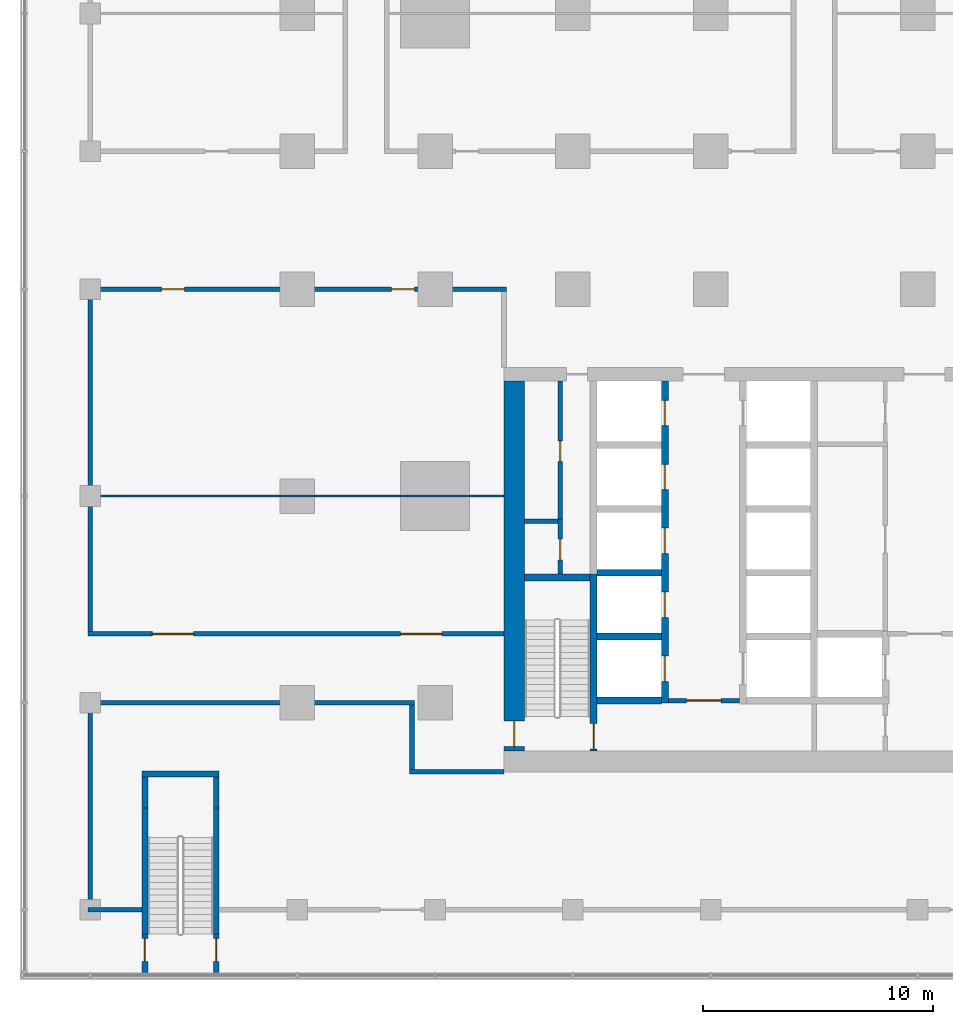
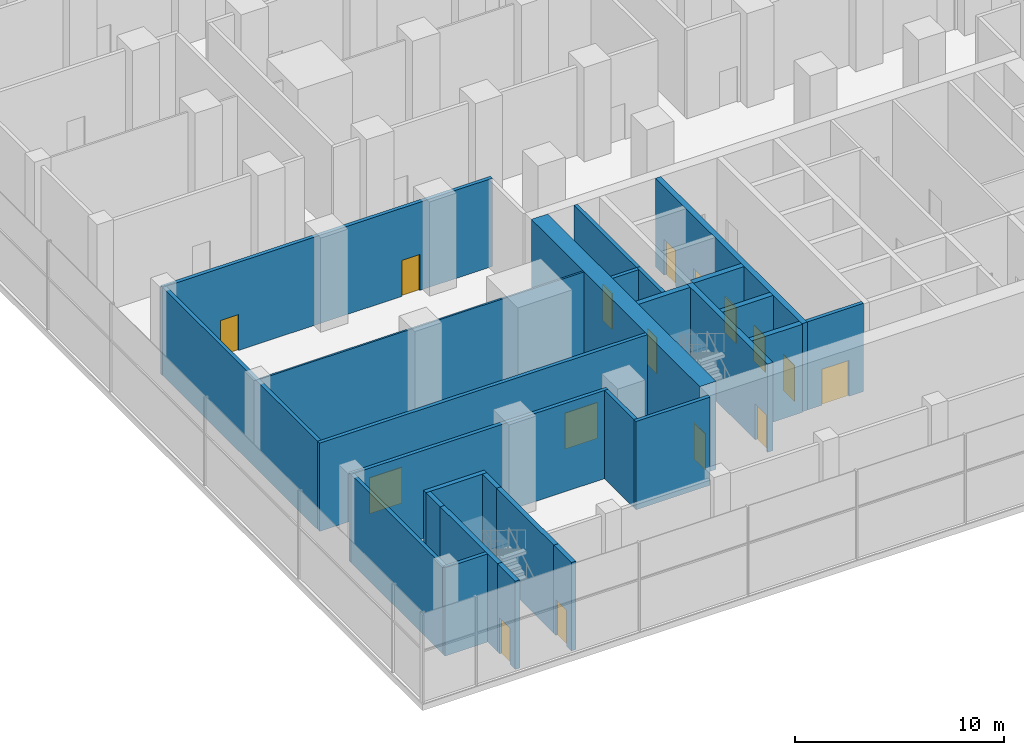
# One storey, part 12 of 22: 27 walls, 16 doors, 16 openings.
"""IFC4 building model written with IfcOpenShell, lengths in metres."""

from ifc_helpers import new_model, si_unit, direction, frame, frame_2d, origin, place, context, subcontext, project, spatial, rectangle, extrude, material, layer, layer_set, type_object, element, fill, save


model = new_model("IFC4")

# Units and contexts
model_context = context("Model", 3, precision=1e-05, world=origin(), true_north=direction((0.0, 1.0)))
body_context = subcontext(model_context, "Body", "Model", "MODEL_VIEW")
ifc_project = project(units=[si_unit("LENGTHUNIT", "METRE"), si_unit("AREAUNIT", "SQUARE_METRE"), si_unit("VOLUMEUNIT", "CUBIC_METRE"), si_unit("PLANEANGLEUNIT", "RADIAN"), si_unit("MASSUNIT", "GRAM", prefix="KILO")], contexts=[model_context])

# Site, building, storey
site_placement = place(None, origin())
site = spatial("IfcSite", under=ifc_project, at=site_placement, CompositionType="ELEMENT")
building_placement = place(site_placement, origin())
building = spatial("IfcBuilding", under=site, at=building_placement, Name="Finial Court Residences", CompositionType="ELEMENT")
storey_placement = place(building_placement, frame((0.0, 0.0, 8.0)))
storey = spatial("IfcBuildingStorey", under=building, at=storey_placement, Name="L01", CompositionType="ELEMENT", Elevation=8.0)

# Wall, opening, door
ifc_material_1 = material(Name="Concrete C80/95", Category="concrete")
ifc_layer_1 = layer(ifc_material_1, 0.89990234375)
ifc_layer_set_1 = layer_set([ifc_layer_1], Name="Core outer wall 900 Concrete C80/95")
wall_type_1 = type_object("IfcWallType", Name="Core outer wall 900 Concrete C80/95", PredefinedType="SHEAR", material=ifc_layer_set_1)
wall_1_placement = place(storey_placement, frame((-13.050048828125, -8.5, 0.0), z_axis=(0.0, 0.0, 1.0), x_axis=(0.0, -1.0, 0.0)))
wall_1 = element("IfcWall", 1, at=wall_1_placement, inside=storey, type_object=wall_type_1, Name="Core outer wall L01-03", PredefinedType="SHEAR", context=body_context, shape_type="SweptSolid", body=[
    extrude(rectangle(XDim=16.10009765625, YDim=0.89990234375, at=frame_2d((8.050048828125, 0.0))), origin(), (0.0, 0.0, 1.0), 5.14990234375),
])
opening_1_placement = place(wall_1_placement, frame((14.800048828125, 0.0, 0.0)))
opening_1 = element("IfcOpeningElement", 2, at=opening_1_placement, cuts=wall_1, Name="Opening L01-C19", PredefinedType="OPENING", context=body_context, shape_type="SweptSolid", body=[
    extrude(rectangle(XDim=1.10009765625, YDim=2.10009765625, at=frame_2d((0.550048828125, 1.050048828125))), frame((0.0, 0.4599609375, 0.0), z_axis=(0.0, -1.0, 0.0), x_axis=(1.0, 0.0, 0.0)), (0.0, 0.0, 1.0), 0.919921875),
])
ifc_material_2 = material(Name="Steel fire door", Category="steel")
door_type_1 = type_object("IfcDoorType", Name="Stair door 1100 x 2100 EI 90", OperationType="NOTDEFINED", PredefinedType="DOOR", material=ifc_material_2)
door_1_placement = place(opening_1_placement, origin())
door_1 = element("IfcDoor", 3, at=door_1_placement, inside=storey, type_object=door_type_1, Name="Stair door L01-C19", OperationType="SINGLE_SWING_RIGHT", OverallHeight=2.10009765625, OverallWidth=1.10009765625, PredefinedType="DOOR", context=body_context, shape_type="SweptSolid", body=[
    extrude(rectangle(XDim=1.10009765625, YDim=2.10009765625, at=frame_2d((0.550048828125, 1.050048828125))), frame((0.0, 0.02490234375, 0.0), z_axis=(0.0, -1.0, 0.0), x_axis=(1.0, 0.0, 0.0)), (0.0, 0.0, 1.0), 0.050048828125),
])
fill(opening_1, door_1)

# Walls
ifc_material_3 = material(Name="Gypsum board")
ifc_layer_2 = layer(ifc_material_3, 0.02490234375)
ifc_material_4 = material(Name="Acoustic mineral wool in double frame")
ifc_layer_3 = layer(ifc_material_4, 0.14990234375)
ifc_layer_4 = layer(ifc_material_3, 0.02490234375)
ifc_layer_set_2 = layer_set([ifc_layer_2, ifc_layer_3, ifc_layer_4], Name="Corridor wall 200, 1 hour")
wall_type_2 = type_object("IfcWallType", Name="Corridor wall 200, 1 hour", PredefinedType="PARTITIONING", material=ifc_layer_set_2)
wall_2_placement = place(storey_placement, frame((-31.60009765625, -31.5, 0.0), z_axis=(0.0, 0.0, 1.0), x_axis=(1.0, 0.0, 0.0)))
element("IfcWall", 4, at=wall_2_placement, inside=storey, type_object=wall_type_2, Name="Partition L01-000", PredefinedType="PARTITIONING", context=body_context, shape_type="SweptSolid", body=[
    extrude(rectangle(XDim=2.35009765625, YDim=0.199951171875, at=frame_2d((1.175048828125, 0.0))), origin(), (0.0, 0.0, 1.0), 5.14990234375),
])
wall_3_placement = place(storey_placement, frame((-17.60009765625, -25.5, 0.0), z_axis=(0.0, 0.0, 1.0), x_axis=(1.0, 0.0, 0.0)))
element("IfcWall", 5, at=wall_3_placement, inside=storey, type_object=wall_type_2, Name="Partition L01-003", PredefinedType="PARTITIONING", context=body_context, shape_type="SweptSolid", body=[
    extrude(rectangle(XDim=4.10009765625, YDim=0.199951171875, at=frame_2d((2.050048828125, 0.0))), origin(), (0.0, 0.0, 1.0), 5.14990234375),
])
wall_4_placement = place(storey_placement, frame((-31.60009765625, -22.5, 0.0), z_axis=(0.0, 0.0, 1.0), x_axis=(1.0, 0.0, 0.0)))
element("IfcWall", 6, at=wall_4_placement, inside=storey, type_object=wall_type_2, Name="Partition L01-005", PredefinedType="PARTITIONING", context=body_context, shape_type="SweptSolid", body=[
    extrude(rectangle(XDim=14.2001953125, YDim=0.199951171875, at=frame_2d((7.10009765625, 0.0))), origin(), (0.0, 0.0, 1.0), 5.14990234375),
])

# Wall, openings, doors
wall_5_placement = place(storey_placement, frame((-31.60009765625, -19.5, 0.0), z_axis=(0.0, 0.0, 1.0), x_axis=(1.0, 0.0, 0.0)))
wall_5 = element("IfcWall", 7, at=wall_5_placement, inside=storey, type_object=wall_type_2, Name="Partition L01-008", PredefinedType="PARTITIONING", context=body_context, shape_type="SweptSolid", body=[
    extrude(rectangle(XDim=18.10009765625, YDim=0.199951171875, at=frame_2d((9.050048828125, 0.0))), origin(), (0.0, 0.0, 1.0), 5.14990234375),
])
opening_2_placement = place(wall_5_placement, frame((2.800048828125, 0.0, 0.0)))
opening_2 = element("IfcOpeningElement", 8, at=opening_2_placement, cuts=wall_5, Name="Opening L01-D005", PredefinedType="OPENING", context=body_context, shape_type="SweptSolid", body=[
    extrude(rectangle(XDim=1.800048828125, YDim=2.10009765625, at=frame_2d((0.89990234375, 1.050048828125))), frame((0.0, 0.10986328125, 0.0), z_axis=(0.0, -1.0, 0.0), x_axis=(1.0, 0.0, 0.0)), (0.0, 0.0, 1.0), 0.219970703125),
])
opening_3_placement = place(wall_5_placement, frame((13.60009765625, 0.0, 0.0)))
opening_3 = element("IfcOpeningElement", 9, at=opening_3_placement, cuts=wall_5, Name="Opening L01-D006", PredefinedType="OPENING", context=body_context, shape_type="SweptSolid", body=[
    extrude(rectangle(XDim=1.800048828125, YDim=2.10009765625, at=frame_2d((0.89990234375, 1.050048828125))), frame((0.0, 0.10986328125, 0.0), z_axis=(0.0, -1.0, 0.0), x_axis=(1.0, 0.0, 0.0)), (0.0, 0.0, 1.0), 0.219970703125),
])
ifc_material_5 = material(Name="Timber door leaf in hollow metal frame", Category="wood")
door_type_2 = type_object("IfcDoorType", Name="Fire door set 1800 x 2100, 30 minutes", OperationType="DOUBLE_DOOR_SINGLE_SWING", PredefinedType="DOOR", material=ifc_material_5)
door_2_placement = place(opening_2_placement, origin())
door_2 = element("IfcDoor", 10, at=door_2_placement, inside=storey, type_object=door_type_2, Name="Door L01-D005", OperationType="DOUBLE_DOOR_SINGLE_SWING", OverallHeight=2.10009765625, OverallWidth=1.800048828125, PredefinedType="DOOR", context=body_context, shape_type="SweptSolid", body=[
    extrude(rectangle(XDim=1.800048828125, YDim=2.10009765625, at=frame_2d((0.89990234375, 1.050048828125))), frame((0.0, 0.02490234375, 0.0), z_axis=(0.0, -1.0, 0.0), x_axis=(1.0, 0.0, 0.0)), (0.0, 0.0, 1.0), 0.050048828125),
])
fill(opening_2, door_2)
door_3_placement = place(opening_3_placement, origin())
door_3 = element("IfcDoor", 11, at=door_3_placement, inside=storey, type_object=door_type_2, Name="Door L01-D006", OperationType="DOUBLE_DOOR_SINGLE_SWING", OverallHeight=2.10009765625, OverallWidth=1.800048828125, PredefinedType="DOOR", context=body_context, shape_type="SweptSolid", body=[
    extrude(rectangle(XDim=1.800048828125, YDim=2.10009765625, at=frame_2d((0.89990234375, 1.050048828125))), frame((0.0, 0.02490234375, 0.0), z_axis=(0.0, -1.0, 0.0), x_axis=(1.0, 0.0, 0.0)), (0.0, 0.0, 1.0), 0.050048828125),
])
fill(opening_3, door_3)

wall_6_placement = place(storey_placement, frame((-31.60009765625, -4.5, 0.0), z_axis=(0.0, 0.0, 1.0), x_axis=(1.0, 0.0, 0.0)))
wall_6 = element("IfcWall", 12, at=wall_6_placement, inside=storey, type_object=wall_type_2, Name="Partition L01-015", PredefinedType="PARTITIONING", context=body_context, shape_type="SweptSolid", body=[
    extrude(rectangle(XDim=18.2001953125, YDim=0.199951171875, at=frame_2d((9.10009765625, 0.0))), origin(), (0.0, 0.0, 1.0), 5.14990234375),
])
opening_4_placement = place(wall_6_placement, frame((3.199951171875, 0.0, 0.0)))
opening_4 = element("IfcOpeningElement", 13, at=opening_4_placement, cuts=wall_6, Name="Opening L01-D010", PredefinedType="OPENING", context=body_context, shape_type="SweptSolid", body=[
    extrude(rectangle(XDim=1.0, YDim=2.10009765625, at=frame_2d((0.5, 1.050048828125))), frame((0.0, 0.10986328125, 0.0), z_axis=(0.0, -1.0, 0.0), x_axis=(1.0, 0.0, 0.0)), (0.0, 0.0, 1.0), 0.219970703125),
])
opening_5_placement = place(wall_6_placement, frame((13.199951171875, 0.0, 0.0)))
opening_5 = element("IfcOpeningElement", 14, at=opening_5_placement, cuts=wall_6, Name="Opening L01-D011", PredefinedType="OPENING", context=body_context, shape_type="SweptSolid", body=[
    extrude(rectangle(XDim=1.0, YDim=2.10009765625, at=frame_2d((0.5, 1.050048828125))), frame((0.0, 0.10986328125, 0.0), z_axis=(0.0, -1.0, 0.0), x_axis=(1.0, 0.0, 0.0)), (0.0, 0.0, 1.0), 0.219970703125),
])
door_type_3 = type_object("IfcDoorType", Name="Fire door set 1000 x 2100, 30 minutes", OperationType="SINGLE_SWING_LEFT", PredefinedType="DOOR", material=ifc_material_5)
door_4_placement = place(opening_4_placement, origin())
door_4 = element("IfcDoor", 15, at=door_4_placement, inside=storey, type_object=door_type_3, Name="Door L01-D010", OperationType="SINGLE_SWING_LEFT", OverallHeight=2.10009765625, OverallWidth=1.0, PredefinedType="DOOR", context=body_context, shape_type="SweptSolid", body=[
    extrude(rectangle(XDim=1.0, YDim=2.10009765625, at=frame_2d((0.5, 1.050048828125))), frame((0.0, 0.02490234375, 0.0), z_axis=(0.0, -1.0, 0.0), x_axis=(1.0, 0.0, 0.0)), (0.0, 0.0, 1.0), 0.050048828125),
])
fill(opening_4, door_4)
door_5_placement = place(opening_5_placement, origin())
door_5 = element("IfcDoor", 16, at=door_5_placement, inside=storey, type_object=door_type_3, Name="Door L01-D011", OperationType="SINGLE_SWING_RIGHT", OverallHeight=2.10009765625, OverallWidth=1.0, PredefinedType="DOOR", context=body_context, shape_type="SweptSolid", body=[
    extrude(rectangle(XDim=1.0, YDim=2.10009765625, at=frame_2d((0.5, 1.050048828125))), frame((0.0, 0.02490234375, 0.0), z_axis=(0.0, -1.0, 0.0), x_axis=(1.0, 0.0, 0.0)), (0.0, 0.0, 1.0), 0.050048828125),
])
fill(opening_5, door_5)

# Walls
wall_7_placement = place(storey_placement, frame((-31.5, -31.39990234375, 0.0), z_axis=(0.0, 0.0, 1.0), x_axis=(0.0, 1.0, 0.0)))
element("IfcWall", 17, at=wall_7_placement, inside=storey, type_object=wall_type_2, Name="Partition L01-040", PredefinedType="PARTITIONING", context=body_context, shape_type="SweptSolid", body=[
    extrude(rectangle(XDim=8.7998046875, YDim=0.199951171875, at=frame_2d((4.39990234375, 0.0))), origin(), (0.0, 0.0, 1.0), 5.14990234375),
])
wall_8_placement = place(storey_placement, frame((-31.5, -19.39990234375, 0.0), z_axis=(0.0, 0.0, 1.0), x_axis=(0.0, 1.0, 0.0)))
element("IfcWall", 18, at=wall_8_placement, inside=storey, type_object=wall_type_2, Name="Partition L01-041", PredefinedType="PARTITIONING", context=body_context, shape_type="SweptSolid", body=[
    extrude(rectangle(XDim=14.7998046875, YDim=0.199951171875, at=frame_2d((7.39990234375, 0.0))), origin(), (0.0, 0.0, 1.0), 5.14990234375),
])
wall_9_placement = place(storey_placement, frame((-17.5, -25.39990234375, 0.0), z_axis=(0.0, 0.0, 1.0), x_axis=(0.0, 1.0, 0.0)))
element("IfcWall", 19, at=wall_9_placement, inside=storey, type_object=wall_type_2, Name="Partition L01-046", PredefinedType="PARTITIONING", context=body_context, shape_type="SweptSolid", body=[
    extrude(rectangle(XDim=2.7998046875, YDim=0.199951171875, at=frame_2d((1.39990234375, 0.0))), origin(), (0.0, 0.0, 1.0), 5.14990234375),
])
ifc_layer_5 = layer(ifc_material_3, 0.012451171875)
ifc_material_6 = material(Name="Mineral wool in light-gauge frame")
ifc_layer_6 = layer(ifc_material_6, 0.074951171875)
ifc_layer_7 = layer(ifc_material_3, 0.012451171875)
ifc_layer_set_3 = layer_set([ifc_layer_5, ifc_layer_6, ifc_layer_7], Name="Gypsum board partition 100")
wall_type_3 = type_object("IfcWallType", Name="Gypsum board partition 100", PredefinedType="PARTITIONING", material=ifc_layer_set_3)
wall_10_placement = place(storey_placement, frame((-31.39990234375, -13.5, 0.0), z_axis=(0.0, 0.0, 1.0), x_axis=(1.0, 0.0, 0.0)))
element("IfcWall", 20, at=wall_10_placement, inside=storey, type_object=wall_type_3, Name="Partition L01-013", PredefinedType="PARTITIONING", context=body_context, shape_type="SweptSolid", body=[
    extrude(rectangle(XDim=17.89990234375, YDim=0.10009765625, at=frame_2d((8.949951171875, 0.0))), origin(), (0.0, 0.0, 1.0), 5.14990234375),
])
ifc_layer_8 = layer(ifc_material_1, 0.300048828125)
ifc_layer_set_4 = layer_set([ifc_layer_8], Name="Lift shaft and stair wall 300 Concrete C80/95")
wall_type_4 = type_object("IfcWallType", Name="Lift shaft and stair wall 300 Concrete C80/95", PredefinedType="SHEAR", material=ifc_layer_set_4)
for number, where, z_axis, x_axis, name in (
    (21, (-9.449951171875, -22.39990234375, 0.0), (0.0, 0.0, 1.0), (1.0, 0.0, 0.0), "Core wall L01-01"),
    (22, (-9.449951171875, -19.6201171875, 0.0), (0.0, 0.0, 1.0), (1.0, 0.0, 0.0), "Core wall L01-05"),
):
    element("IfcWall", number, at=place(storey_placement, frame(where, z_axis=z_axis, x_axis=x_axis)), inside=storey, type_object=wall_type_4, Name=name, PredefinedType="SHEAR", context=body_context, shape_type="SweptSolid", body=[
        extrude(rectangle(XDim=2.800048828125, YDim=0.300048828125, at=frame_2d((1.39990234375, 0.0))), origin(), (0.0, 0.0, 1.0), 5.14990234375),
    ])
wall_11_placement = place(storey_placement, frame((-12.60009765625, -17.050048828125, 0.0), z_axis=(0.0, 0.0, 1.0), x_axis=(1.0, 0.0, 0.0)))
element("IfcWall", 23, at=wall_11_placement, inside=storey, type_object=wall_type_4, Name="Core wall L01-10", PredefinedType="SHEAR", context=body_context, shape_type="SweptSolid", body=[
    extrude(rectangle(XDim=2.85009765625, YDim=0.300048828125, at=frame_2d((1.425048828125, 0.0))), origin(), (0.0, 0.0, 1.0), 5.14990234375),
])
wall_12_placement = place(storey_placement, frame((-9.449951171875, -16.840087890625, 0.0), z_axis=(0.0, 0.0, 1.0), x_axis=(1.0, 0.0, 0.0)))
element("IfcWall", 24, at=wall_12_placement, inside=storey, type_object=wall_type_4, Name="Core wall L01-12", PredefinedType="SHEAR", context=body_context, shape_type="SweptSolid", body=[
    extrude(rectangle(XDim=2.800048828125, YDim=0.300048828125, at=frame_2d((1.39990234375, 0.0))), origin(), (0.0, 0.0, 1.0), 5.14990234375),
])

# Wall, opening, door
wall_13_placement = place(storey_placement, frame((-9.60009765625, -24.60009765625, 0.0), z_axis=(0.0, 0.0, 1.0), x_axis=(0.0, 1.0, 0.0)))
wall_13 = element("IfcWall", 25, at=wall_13_placement, inside=storey, type_object=wall_type_4, Name="Core wall L01-24", PredefinedType="SHEAR", context=body_context, shape_type="SweptSolid", body=[
    extrude(rectangle(XDim=7.7001953125, YDim=0.300048828125, at=frame_2d((3.85009765625, 0.0))), origin(), (0.0, 0.0, 1.0), 5.14990234375),
])
opening_6_placement = place(wall_13_placement, frame((0.10009765625, 0.0, 0.0)))
opening_6 = element("IfcOpeningElement", 26, at=opening_6_placement, cuts=wall_13, Name="Opening L01-C17", PredefinedType="OPENING", context=body_context, shape_type="SweptSolid", body=[
    extrude(rectangle(XDim=1.10009765625, YDim=2.10009765625, at=frame_2d((0.550048828125, 1.050048828125))), frame((0.0, 0.159912109375, 0.0), z_axis=(0.0, -1.0, 0.0), x_axis=(1.0, 0.0, 0.0)), (0.0, 0.0, 1.0), 0.320068359375),
])
door_6_placement = place(opening_6_placement, origin())
door_6 = element("IfcDoor", 27, at=door_6_placement, inside=storey, type_object=door_type_1, Name="Stair door L01-C17", OperationType="SINGLE_SWING_LEFT", OverallHeight=2.10009765625, OverallWidth=1.10009765625, PredefinedType="DOOR", context=body_context, shape_type="SweptSolid", body=[
    extrude(rectangle(XDim=1.10009765625, YDim=2.10009765625, at=frame_2d((0.550048828125, 1.050048828125))), frame((0.0, 0.02490234375, 0.0), z_axis=(0.0, -1.0, 0.0), x_axis=(1.0, 0.0, 0.0)), (0.0, 0.0, 1.0), 0.050048828125),
])
fill(opening_6, door_6)

# Wall, openings, doors
wall_14_placement = place(storey_placement, frame((-6.5, -22.5, 0.0), z_axis=(0.0, 0.0, 1.0), x_axis=(0.0, 1.0, 0.0)))
wall_14 = element("IfcWall", 28, at=wall_14_placement, inside=storey, type_object=wall_type_4, Name="Core wall L01-26", PredefinedType="SHEAR", context=body_context, shape_type="SweptSolid", body=[
    extrude(rectangle(XDim=14.0, YDim=0.300048828125, at=frame_2d((7.0, 0.0))), origin(), (0.0, 0.0, 1.0), 5.14990234375),
])
opening_7_placement = place(wall_14_placement, frame((0.93994140625, 0.0, 0.0)))
opening_7 = element("IfcOpeningElement", 29, at=opening_7_placement, cuts=wall_14, Name="Opening L01-LD03", PredefinedType="OPENING", context=body_context, shape_type="SweptSolid", body=[
    extrude(rectangle(XDim=1.10009765625, YDim=2.10009765625, at=frame_2d((0.550048828125, 1.050048828125))), frame((0.0, 0.159912109375, 0.0), z_axis=(0.0, -1.0, 0.0), x_axis=(1.0, 0.0, 0.0)), (0.0, 0.0, 1.0), 0.320068359375),
])
opening_8_placement = place(wall_14_placement, frame((3.719970703125, 0.0, 0.0)))
opening_8 = element("IfcOpeningElement", 30, at=opening_8_placement, cuts=wall_14, Name="Opening L01-LD04", PredefinedType="OPENING", context=body_context, shape_type="SweptSolid", body=[
    extrude(rectangle(XDim=1.10009765625, YDim=2.10009765625, at=frame_2d((0.550048828125, 1.050048828125))), frame((0.0, 0.159912109375, 0.0), z_axis=(0.0, -1.0, 0.0), x_axis=(1.0, 0.0, 0.0)), (0.0, 0.0, 1.0), 0.320068359375),
])
opening_9_placement = place(wall_14_placement, frame((6.5, 0.0, 0.0)))
opening_9 = element("IfcOpeningElement", 31, at=opening_9_placement, cuts=wall_14, Name="Opening L01-LD05", PredefinedType="OPENING", context=body_context, shape_type="SweptSolid", body=[
    extrude(rectangle(XDim=1.10009765625, YDim=2.10009765625, at=frame_2d((0.550048828125, 1.050048828125))), frame((0.0, 0.159912109375, 0.0), z_axis=(0.0, -1.0, 0.0), x_axis=(1.0, 0.0, 0.0)), (0.0, 0.0, 1.0), 0.320068359375),
])
opening_10_placement = place(wall_14_placement, frame((9.280029296875, 0.0, 0.0)))
opening_10 = element("IfcOpeningElement", 32, at=opening_10_placement, cuts=wall_14, Name="Opening L01-LD06", PredefinedType="OPENING", context=body_context, shape_type="SweptSolid", body=[
    extrude(rectangle(XDim=1.10009765625, YDim=2.10009765625, at=frame_2d((0.550048828125, 1.050048828125))), frame((0.0, 0.159912109375, 0.0), z_axis=(0.0, -1.0, 0.0), x_axis=(1.0, 0.0, 0.0)), (0.0, 0.0, 1.0), 0.320068359375),
])
opening_11_placement = place(wall_14_placement, frame((12.06005859375, 0.0, 0.0)))
opening_11 = element("IfcOpeningElement", 33, at=opening_11_placement, cuts=wall_14, Name="Opening L01-LD07", PredefinedType="OPENING", context=body_context, shape_type="SweptSolid", body=[
    extrude(rectangle(XDim=1.10009765625, YDim=2.10009765625, at=frame_2d((0.550048828125, 1.050048828125))), frame((0.0, 0.159912109375, 0.0), z_axis=(0.0, -1.0, 0.0), x_axis=(1.0, 0.0, 0.0)), (0.0, 0.0, 1.0), 0.320068359375),
])
ifc_material_7 = material(Name="Stainless steel lift door", Category="steel")
door_type_4 = type_object("IfcDoorType", Name="Lift landing door 1100 x 2100 EI 90", OperationType="DOUBLE_DOOR_SLIDING", PredefinedType="DOOR", material=ifc_material_7)
door_7_placement = place(opening_7_placement, origin())
door_7 = element("IfcDoor", 34, at=door_7_placement, inside=storey, type_object=door_type_4, Name="Lift landing door LR1 L01", OperationType="DOUBLE_DOOR_SLIDING", OverallHeight=2.10009765625, OverallWidth=1.10009765625, PredefinedType="DOOR", context=body_context, shape_type="SweptSolid", body=[
    extrude(rectangle(XDim=1.10009765625, YDim=2.10009765625, at=frame_2d((0.550048828125, 1.050048828125))), frame((0.0, 0.02490234375, 0.0), z_axis=(0.0, -1.0, 0.0), x_axis=(1.0, 0.0, 0.0)), (0.0, 0.0, 1.0), 0.050048828125),
])
fill(opening_7, door_7)
door_8_placement = place(opening_8_placement, origin())
door_8 = element("IfcDoor", 35, at=door_8_placement, inside=storey, type_object=door_type_4, Name="Lift landing door LR2 L01", OperationType="DOUBLE_DOOR_SLIDING", OverallHeight=2.10009765625, OverallWidth=1.10009765625, PredefinedType="DOOR", context=body_context, shape_type="SweptSolid", body=[
    extrude(rectangle(XDim=1.10009765625, YDim=2.10009765625, at=frame_2d((0.550048828125, 1.050048828125))), frame((0.0, 0.02490234375, 0.0), z_axis=(0.0, -1.0, 0.0), x_axis=(1.0, 0.0, 0.0)), (0.0, 0.0, 1.0), 0.050048828125),
])
fill(opening_8, door_8)
door_9_placement = place(opening_9_placement, origin())
door_9 = element("IfcDoor", 36, at=door_9_placement, inside=storey, type_object=door_type_4, Name="Lift landing door LR3 L01", OperationType="DOUBLE_DOOR_SLIDING", OverallHeight=2.10009765625, OverallWidth=1.10009765625, PredefinedType="DOOR", context=body_context, shape_type="SweptSolid", body=[
    extrude(rectangle(XDim=1.10009765625, YDim=2.10009765625, at=frame_2d((0.550048828125, 1.050048828125))), frame((0.0, 0.02490234375, 0.0), z_axis=(0.0, -1.0, 0.0), x_axis=(1.0, 0.0, 0.0)), (0.0, 0.0, 1.0), 0.050048828125),
])
fill(opening_9, door_9)
door_10_placement = place(opening_10_placement, origin())
door_10 = element("IfcDoor", 37, at=door_10_placement, inside=storey, type_object=door_type_4, Name="Lift landing door LR4 L01", OperationType="DOUBLE_DOOR_SLIDING", OverallHeight=2.10009765625, OverallWidth=1.10009765625, PredefinedType="DOOR", context=body_context, shape_type="SweptSolid", body=[
    extrude(rectangle(XDim=1.10009765625, YDim=2.10009765625, at=frame_2d((0.550048828125, 1.050048828125))), frame((0.0, 0.02490234375, 0.0), z_axis=(0.0, -1.0, 0.0), x_axis=(1.0, 0.0, 0.0)), (0.0, 0.0, 1.0), 0.050048828125),
])
fill(opening_10, door_10)
door_11_placement = place(opening_11_placement, origin())
door_11 = element("IfcDoor", 38, at=door_11_placement, inside=storey, type_object=door_type_4, Name="Lift landing door LR5 L01", OperationType="DOUBLE_DOOR_SLIDING", OverallHeight=2.10009765625, OverallWidth=1.10009765625, PredefinedType="DOOR", context=body_context, shape_type="SweptSolid", body=[
    extrude(rectangle(XDim=1.10009765625, YDim=2.10009765625, at=frame_2d((0.550048828125, 1.050048828125))), frame((0.0, 0.02490234375, 0.0), z_axis=(0.0, -1.0, 0.0), x_axis=(1.0, 0.0, 0.0)), (0.0, 0.0, 1.0), 0.050048828125),
])
fill(opening_11, door_11)

# Wall
ifc_material_8 = material(Name="Fire-rated gypsum board partition")
ifc_layer_9 = layer(ifc_material_8, 0.199951171875)
ifc_layer_set_5 = layer_set([ifc_layer_9], Name="Riser room wall 200 EI 120")
wall_type_5 = type_object("IfcWallType", Name="Riser room wall 200 EI 120", PredefinedType="PARTITIONING", material=ifc_layer_set_5)
wall_15_placement = place(storey_placement, frame((-12.60009765625, -14.60009765625, 0.0), z_axis=(0.0, 0.0, 1.0), x_axis=(1.0, 0.0, 0.0)))
element("IfcWall", 39, at=wall_15_placement, inside=storey, type_object=wall_type_5, Name="Core partition L01-15", PredefinedType="PARTITIONING", context=body_context, shape_type="SweptSolid", body=[
    extrude(rectangle(XDim=1.4501953125, YDim=0.199951171875, at=frame_2d((0.72509765625, 0.0))), origin(), (0.0, 0.0, 1.0), 5.14990234375),
])

# Wall, opening, door
wall_16_placement = place(storey_placement, frame((-11.050048828125, -14.699951171875, 0.0), z_axis=(0.0, 0.0, 1.0), x_axis=(0.0, 1.0, 0.0)))
wall_16 = element("IfcWall", 40, at=wall_16_placement, inside=storey, type_object=wall_type_5, Name="Core partition L01-23", PredefinedType="PARTITIONING", context=body_context, shape_type="SweptSolid", body=[
    extrude(rectangle(XDim=6.199951171875, YDim=0.199951171875, at=frame_2d((3.10009765625, 0.0))), origin(), (0.0, 0.0, 1.0), 5.14990234375),
])
opening_12_placement = place(wall_16_placement, frame((2.699951171875, 0.0, 0.0)))
opening_12 = element("IfcOpeningElement", 41, at=opening_12_placement, cuts=wall_16, Name="Opening L01-C07", PredefinedType="OPENING", context=body_context, shape_type="SweptSolid", body=[
    extrude(rectangle(XDim=0.89990234375, YDim=2.10009765625, at=frame_2d((0.449951171875, 1.050048828125))), frame((0.0, 0.10986328125, 0.0), z_axis=(0.0, -1.0, 0.0), x_axis=(1.0, 0.0, 0.0)), (0.0, 0.0, 1.0), 0.219970703125),
])
door_type_5 = type_object("IfcDoorType", Name="Riser room door 900 x 2100 EI 90", OperationType="NOTDEFINED", PredefinedType="DOOR", material=ifc_material_2)
door_12_placement = place(opening_12_placement, origin())
door_12 = element("IfcDoor", 42, at=door_12_placement, inside=storey, type_object=door_type_5, Name="Riser room door L01-C07", OperationType="SINGLE_SWING_LEFT", OverallHeight=2.10009765625, OverallWidth=0.89990234375, PredefinedType="DOOR", context=body_context, shape_type="SweptSolid", body=[
    extrude(rectangle(XDim=0.89990234375, YDim=2.10009765625, at=frame_2d((0.449951171875, 1.050048828125))), frame((0.0, 0.02490234375, 0.0), z_axis=(0.0, -1.0, 0.0), x_axis=(1.0, 0.0, 0.0)), (0.0, 0.0, 1.0), 0.050048828125),
])
fill(opening_12, door_12)

ifc_material_9 = material(Name="Concrete C50/60", Category="concrete")
ifc_layer_10 = layer(ifc_material_9, 0.25)
ifc_layer_set_6 = layer_set([ifc_layer_10], Name="Stair enclosure wall 250 Concrete C50/60")
wall_type_6 = type_object("IfcWallType", Name="Stair enclosure wall 250 Concrete C50/60", PredefinedType="SHEAR", material=ifc_layer_set_6)
wall_17_placement = place(storey_placement, frame((-29.125, -32.550048828125, 0.0), z_axis=(0.0, 0.0, 1.0), x_axis=(0.0, -1.0, 0.0)))
wall_17 = element("IfcWall", 43, at=wall_17_placement, inside=storey, type_object=wall_type_6, Name="Exit Stair 4 enclosure wall L01-W1", PredefinedType="SHEAR", context=body_context, shape_type="SweptSolid", body=[
    extrude(rectangle(XDim=1.68994140625, YDim=0.25, at=frame_2d((0.844970703125, 0.0))), origin(), (0.0, 0.0, 1.0), 5.14990234375),
])
opening_13_placement = place(wall_17_placement, frame((0.199951171875, 0.0, 0.0)))
opening_13 = element("IfcOpeningElement", 44, at=opening_13_placement, cuts=wall_17, Name="Opening L01-S4", PredefinedType="OPENING", context=body_context, shape_type="SweptSolid", body=[
    extrude(rectangle(XDim=1.0, YDim=2.10009765625, at=frame_2d((0.5, 1.050048828125))), frame((0.0, 0.135009765625, 0.0), z_axis=(0.0, -1.0, 0.0), x_axis=(1.0, 0.0, 0.0)), (0.0, 0.0, 1.0), 0.27001953125),
])
door_type_6 = type_object("IfcDoorType", Name="Stair door 1000 x 2100 EI 90", OperationType="NOTDEFINED", PredefinedType="DOOR", material=ifc_material_2)
door_13_placement = place(opening_13_placement, origin())
door_13 = element("IfcDoor", 45, at=door_13_placement, inside=storey, type_object=door_type_6, Name="Exit Stair 4 door L01", OperationType="SINGLE_SWING_RIGHT", OverallHeight=2.10009765625, OverallWidth=1.0, PredefinedType="DOOR", context=body_context, shape_type="SweptSolid", body=[
    extrude(rectangle(XDim=1.0, YDim=2.10009765625, at=frame_2d((0.5, 1.050048828125))), frame((0.0, 0.02490234375, 0.0), z_axis=(0.0, -1.0, 0.0), x_axis=(1.0, 0.0, 0.0)), (0.0, 0.0, 1.0), 0.050048828125),
])
fill(opening_13, door_13)

# Walls
wall_18_placement = place(storey_placement, frame((-29.125, -32.550048828125, 0.0), z_axis=(0.0, 0.0, 1.0), x_axis=(0.0, 1.0, 0.0)))
element("IfcWall", 46, at=wall_18_placement, inside=storey, type_object=wall_type_6, Name="Exit Stair 4 enclosure wall L01-W2", PredefinedType="SHEAR", context=body_context, shape_type="SweptSolid", body=[
    extrude(rectangle(XDim=5.47998046875, YDim=0.25, at=frame_2d((2.739990234375, 0.0))), origin(), (0.0, 0.0, 1.0), 5.14990234375),
])
wall_19_placement = place(storey_placement, frame((-29.125, -27.070068359375, 0.0), z_axis=(0.0, 0.0, 1.0), x_axis=(0.0, 1.0, 0.0)))
element("IfcWall", 47, at=wall_19_placement, inside=storey, type_object=wall_type_6, Name="Exit Stair 4 enclosure wall L01-W3", PredefinedType="SHEAR", context=body_context, shape_type="SweptSolid", body=[
    extrude(rectangle(XDim=1.35009765625, YDim=0.25, at=frame_2d((0.675048828125, 0.0))), origin(), (0.0, 0.0, 1.0), 5.14990234375),
])

# Wall, opening, door
wall_20_placement = place(storey_placement, frame((-26.02490234375, -34.239990234375, 0.0), z_axis=(0.0, 0.0, 1.0), x_axis=(0.0, 1.0, 0.0)))
wall_20 = element("IfcWall", 48, at=wall_20_placement, inside=storey, type_object=wall_type_6, Name="Exit Stair 4 enclosure wall L01-E1", PredefinedType="SHEAR", context=body_context, shape_type="SweptSolid", body=[
    extrude(rectangle(XDim=1.68994140625, YDim=0.25, at=frame_2d((0.844970703125, 0.0))), origin(), (0.0, 0.0, 1.0), 5.14990234375),
])
opening_14_placement = place(wall_20_placement, frame((0.489990234375, 0.0, 0.0)))
opening_14 = element("IfcOpeningElement", 49, at=opening_14_placement, cuts=wall_20, Name="Opening L01-S4E", PredefinedType="OPENING", context=body_context, shape_type="SweptSolid", body=[
    extrude(rectangle(XDim=1.0, YDim=2.10009765625, at=frame_2d((0.5, 1.050048828125))), frame((0.0, 0.135009765625, 0.0), z_axis=(0.0, -1.0, 0.0), x_axis=(1.0, 0.0, 0.0)), (0.0, 0.0, 1.0), 0.27001953125),
])
door_14_placement = place(opening_14_placement, origin())
door_14 = element("IfcDoor", 50, at=door_14_placement, inside=storey, type_object=door_type_6, Name="Exit Stair 4 east door L01", OperationType="SINGLE_SWING_LEFT", OverallHeight=2.10009765625, OverallWidth=1.0, PredefinedType="DOOR", context=body_context, shape_type="SweptSolid", body=[
    extrude(rectangle(XDim=1.0, YDim=2.10009765625, at=frame_2d((0.5, 1.050048828125))), frame((0.0, 0.02490234375, 0.0), z_axis=(0.0, -1.0, 0.0), x_axis=(1.0, 0.0, 0.0)), (0.0, 0.0, 1.0), 0.050048828125),
])
fill(opening_14, door_14)

# Walls
wall_21_placement = place(storey_placement, frame((-26.02490234375, -32.550048828125, 0.0), z_axis=(0.0, 0.0, 1.0), x_axis=(0.0, 1.0, 0.0)))
element("IfcWall", 51, at=wall_21_placement, inside=storey, type_object=wall_type_6, Name="Exit Stair 4 enclosure wall L01-E2", PredefinedType="SHEAR", context=body_context, shape_type="SweptSolid", body=[
    extrude(rectangle(XDim=5.47998046875, YDim=0.25, at=frame_2d((2.739990234375, 0.0))), origin(), (0.0, 0.0, 1.0), 5.14990234375),
])
wall_22_placement = place(storey_placement, frame((-26.02490234375, -27.070068359375, 0.0), z_axis=(0.0, 0.0, 1.0), x_axis=(0.0, 1.0, 0.0)))
element("IfcWall", 52, at=wall_22_placement, inside=storey, type_object=wall_type_6, Name="Exit Stair 4 enclosure wall L01-E3", PredefinedType="SHEAR", context=body_context, shape_type="SweptSolid", body=[
    extrude(rectangle(XDim=1.35009765625, YDim=0.25, at=frame_2d((0.675048828125, 0.0))), origin(), (0.0, 0.0, 1.0), 5.14990234375),
])
wall_23_placement = place(storey_placement, frame((-29.25, -25.594970703125, 0.0), z_axis=(0.0, 0.0, 1.0), x_axis=(1.0, 0.0, 0.0)))
element("IfcWall", 53, at=wall_23_placement, inside=storey, type_object=wall_type_6, Name="Exit Stair 4 enclosure wall L01-N", PredefinedType="SHEAR", context=body_context, shape_type="SweptSolid", body=[
    extrude(rectangle(XDim=3.35009765625, YDim=0.25, at=frame_2d((1.675048828125, 0.0))), origin(), (0.0, 0.0, 1.0), 5.14990234375),
])

# Wall, opening, door
ifc_layer_11 = layer(ifc_material_8, 0.199951171875)
ifc_layer_set_7 = layer_set([ifc_layer_11], Name="Stair passage wall 200 EI 180")
wall_type_7 = type_object("IfcWallType", Name="Stair passage wall 200 EI 180", PredefinedType="PARTITIONING", material=ifc_layer_set_7)
wall_24_placement = place(storey_placement, frame((-3.25, -22.39990234375, 0.0), z_axis=(0.0, 0.0, 1.0), x_axis=(-1.0, 0.0, 0.0)))
wall_24 = element("IfcWall", 54, at=wall_24_placement, inside=storey, type_object=wall_type_7, Name="Core partition L01-02", PredefinedType="PARTITIONING", context=body_context, shape_type="SweptSolid", body=[
    extrude(rectangle(XDim=3.10009765625, YDim=0.199951171875, at=frame_2d((1.550048828125, 0.0))), origin(), (0.0, 0.0, 1.0), 5.14990234375),
])
opening_15_placement = place(wall_24_placement, frame((0.800048828125, 0.0, 0.0)))
opening_15 = element("IfcOpeningElement", 55, at=opening_15_placement, cuts=wall_24, Name="Opening L01-C03", PredefinedType="OPENING", context=body_context, shape_type="SweptSolid", body=[
    extrude(rectangle(XDim=1.5, YDim=2.10009765625, at=frame_2d((0.75, 1.050048828125))), frame((0.0, 0.10986328125, 0.0), z_axis=(0.0, -1.0, 0.0), x_axis=(1.0, 0.0, 0.0)), (0.0, 0.0, 1.0), 0.219970703125),
])
door_type_7 = type_object("IfcDoorType", Name="Lift lobby door 1500 x 2100 EI 60", OperationType="DOUBLE_DOOR_SINGLE_SWING", PredefinedType="DOOR", material=ifc_material_2)
door_15_placement = place(opening_15_placement, origin())
door_15 = element("IfcDoor", 56, at=door_15_placement, inside=storey, type_object=door_type_7, Name="Lift lobby door L01-C03", OperationType="DOUBLE_DOOR_SINGLE_SWING", OverallHeight=2.10009765625, OverallWidth=1.5, PredefinedType="DOOR", context=body_context, shape_type="SweptSolid", body=[
    extrude(rectangle(XDim=1.5, YDim=2.10009765625, at=frame_2d((0.75, 1.050048828125))), frame((0.0, 0.02490234375, 0.0), z_axis=(0.0, -1.0, 0.0), x_axis=(1.0, 0.0, 0.0)), (0.0, 0.0, 1.0), 0.050048828125),
])
fill(opening_15, door_15)

wall_25_placement = place(storey_placement, frame((-11.050048828125, -16.89990234375, 0.0), z_axis=(0.0, 0.0, 1.0), x_axis=(0.0, 1.0, 0.0)))
wall_25 = element("IfcWall", 57, at=wall_25_placement, inside=storey, type_object=wall_type_7, Name="Core partition L01-22", PredefinedType="PARTITIONING", context=body_context, shape_type="SweptSolid", body=[
    extrude(rectangle(XDim=2.39990234375, YDim=0.199951171875, at=frame_2d((1.199951171875, 0.0))), origin(), (0.0, 0.0, 1.0), 5.14990234375),
])
opening_16_placement = place(wall_25_placement, frame((0.625, 0.0, 0.0)))
opening_16 = element("IfcOpeningElement", 58, at=opening_16_placement, cuts=wall_25, Name="Opening L01-C12", PredefinedType="OPENING", context=body_context, shape_type="SweptSolid", body=[
    extrude(rectangle(XDim=0.89990234375, YDim=2.10009765625, at=frame_2d((0.449951171875, 1.050048828125))), frame((0.0, 0.10986328125, 0.0), z_axis=(0.0, -1.0, 0.0), x_axis=(1.0, 0.0, 0.0)), (0.0, 0.0, 1.0), 0.219970703125),
])
door_type_8 = type_object("IfcDoorType", Name="Core room door 900 x 2100 EI 60", OperationType="NOTDEFINED", PredefinedType="DOOR", material=ifc_material_2)
door_16_placement = place(opening_16_placement, origin())
door_16 = element("IfcDoor", 59, at=door_16_placement, inside=storey, type_object=door_type_8, Name="Core room door L01-C12", OperationType="SINGLE_SWING_RIGHT", OverallHeight=2.10009765625, OverallWidth=0.89990234375, PredefinedType="DOOR", context=body_context, shape_type="SweptSolid", body=[
    extrude(rectangle(XDim=0.89990234375, YDim=2.10009765625, at=frame_2d((0.449951171875, 1.050048828125))), frame((0.0, 0.02490234375, 0.0), z_axis=(0.0, -1.0, 0.0), x_axis=(1.0, 0.0, 0.0)), (0.0, 0.0, 1.0), 0.050048828125),
])
fill(opening_16, door_16)

save(model, "model.ifc")
